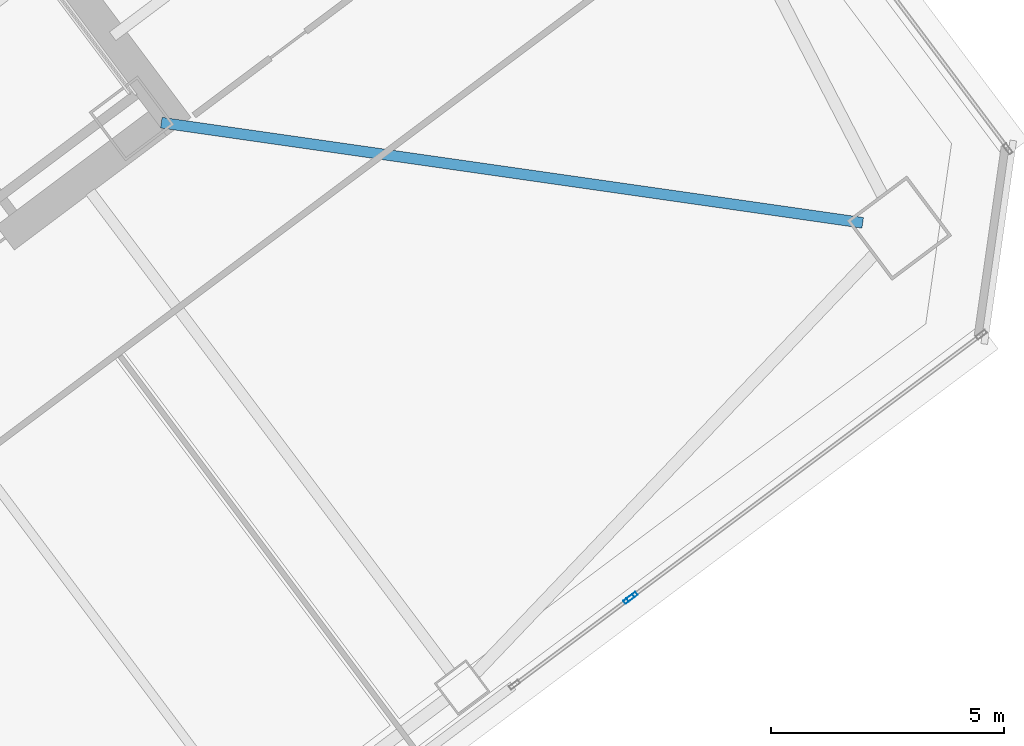
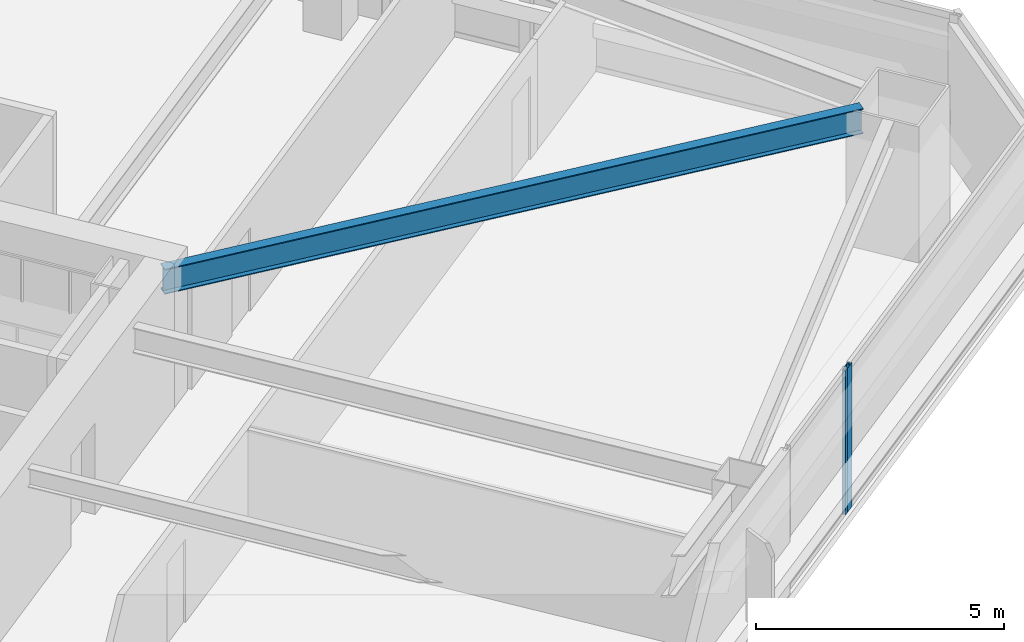
# One storey, part 30 of 62: 2 members, 1 beam, 2 elements without a shape of their own.
"""IFC4 building model written with IfcOpenShell, lengths in metres."""

from ifc_helpers import new_model, si_unit, direction, frame, origin, origin_2d, place, context, subcontext, project, spatial, hollow_rectangle, i_section, extrude, material, material_profile, profile_set, type_object, element, aggregate, save


model = new_model("IFC4")

# Units and contexts
model_context = context("Model", 3, precision=1e-05, world=origin(), true_north=direction((0.0, 1.0)))
body_context = subcontext(model_context, "Body", "Model", "MODEL_VIEW")
ifc_project = project(units=[si_unit("LENGTHUNIT", "METRE"), si_unit("AREAUNIT", "SQUARE_METRE"), si_unit("VOLUMEUNIT", "CUBIC_METRE"), si_unit("PLANEANGLEUNIT", "RADIAN"), si_unit("MASSUNIT", "GRAM", prefix="KILO")], contexts=[model_context])

# Site, building, storey
site_placement = place(None, origin())
site = spatial("IfcSite", under=ifc_project, at=site_placement, CompositionType="ELEMENT")
building_placement = place(site_placement, origin())
building = spatial("IfcBuilding", under=site, at=building_placement, Name="Tashvorn Skyway Center", CompositionType="ELEMENT")
storey_placement = place(building_placement, frame((0.0, 0.0, 28.14990234375)))
storey = spatial("IfcBuildingStorey", under=building, at=storey_placement, Name="L06", CompositionType="ELEMENT", Elevation=28.14990234375)

# Beam
ifc_material_1 = material(Name="Steel ASTM A992 Grade 50", Category="steel")
ifc_material_profile_1 = material_profile(ifc_material_1, i_section(OverallWidth=0.22998046875, OverallDepth=0.616943359375, WebThickness=0.01318359375, FlangeThickness=0.022216796875, at=origin_2d()), Name="W24X94")
ifc_profile_set_1 = profile_set([ifc_material_profile_1], Name="Steel ASTM A992 Grade 50")
beam_type = type_object("IfcBeamType", Name="BM-BEAM-W24X94", PredefinedType="BEAM", material=ifc_profile_set_1)
beam_placement = place(storey_placement, frame((139.532958984375, 28.3525390625, 3.04150390625), z_axis=(-0.989950458816, 0.141414599991, 0.0), x_axis=(-0.141414599991, -0.989950458816, 0.0)))
element("IfcBeam", 1, at=beam_placement, inside=storey, type_object=beam_type, Name="Tower 2 L06 Primary Floor Girder MC-SE", PredefinedType="BEAM", context=body_context, shape_type="SweptSolid", body=[
    extrude(i_section(OverallWidth=0.22998046875, OverallDepth=0.616943359375, WebThickness=0.01318359375, FlangeThickness=0.022216796875, at=origin_2d()), origin(), (0.0, 0.0, 1.0), 15.177001953125),
])

# Curtain wall, member
ifc_material_2 = material(Name="Thermally broken bronze-anodized aluminium 6063-T6", Category="aluminium")
curtain_wall_type = type_object("IfcCurtainWallType", Name="CW-CW-Z1", PredefinedType="NOTDEFINED", material=ifc_material_2)
curtain_wall_1_placement = place(storey_placement, origin())
curtain_wall_1 = element("IfcCurtainWall", 2, at=curtain_wall_1_placement, inside=storey, type_object=curtain_wall_type, Name="Tower 2 L06 South Unitised Curtain Wall Glazing Group 1", PredefinedType="NOTDEFINED")
ifc_material_profile_2 = material_profile(ifc_material_2, hollow_rectangle(XDim=0.0849609375, YDim=0.239990234375, WallThickness=0.0048828125, at=origin_2d()), Name="ALU-MULL-85x240")
ifc_profile_set_2 = profile_set([ifc_material_profile_2], Name="Thermally broken bronze-anodized aluminium 6063-T6")
member_type = type_object("IfcMemberType", Name="CWM-CW-Z1", PredefinedType="MULLION", material=ifc_profile_set_2)
member_1_placement = place(storey_placement, frame((134.593994140625, 20.345458984375, 0.0), z_axis=(0.0, 0.0, 1.0), x_axis=(0.600000000002, -0.799999999998, 0.0)))
member_1 = element("IfcMember", 3, at=member_1_placement, type_object=member_type, Name="CW-Z1 mullion 2", PredefinedType="MULLION", context=body_context, shape_type="SweptSolid", body=[
    extrude(hollow_rectangle(XDim=0.0849609375, YDim=0.239990234375, WallThickness=0.0048828125, at=origin_2d()), origin(), (0.0, 0.0, 1.0), 3.550048828125),
])
aggregate(curtain_wall_1, [member_1])

curtain_wall_2_placement = place(storey_placement, origin())
curtain_wall_2 = element("IfcCurtainWall", 4, at=curtain_wall_2_placement, inside=storey, type_object=curtain_wall_type, Name="Tower 2 L06 South Unitised Curtain Wall Glazing Group 2", PredefinedType="NOTDEFINED")
member_2_placement = place(storey_placement, frame((134.52587890625, 20.29443359375, 0.0), z_axis=(0.0, 0.0, 1.0), x_axis=(0.600005084776, -0.799996186392, 0.0)))
member_2 = element("IfcMember", 5, at=member_2_placement, type_object=member_type, Name="CW-Z1 mullion 1", PredefinedType="MULLION", context=body_context, shape_type="SweptSolid", body=[
    extrude(hollow_rectangle(XDim=0.0849609375, YDim=0.239990234375, WallThickness=0.0048828125, at=origin_2d()), origin(), (0.0, 0.0, 1.0), 3.550048828125),
])
aggregate(curtain_wall_2, [member_2])

save(model, "model.ifc")
